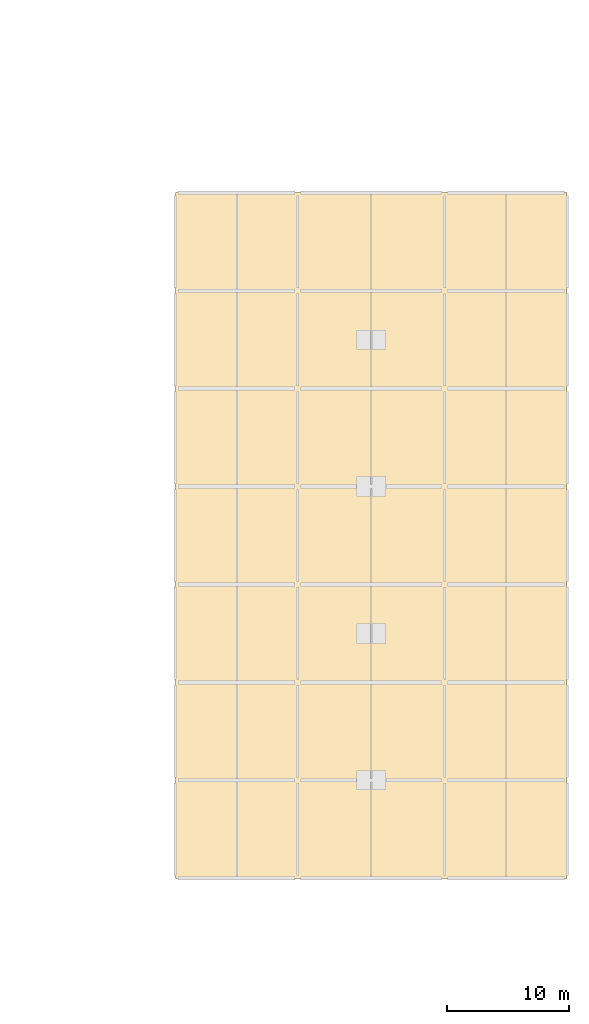
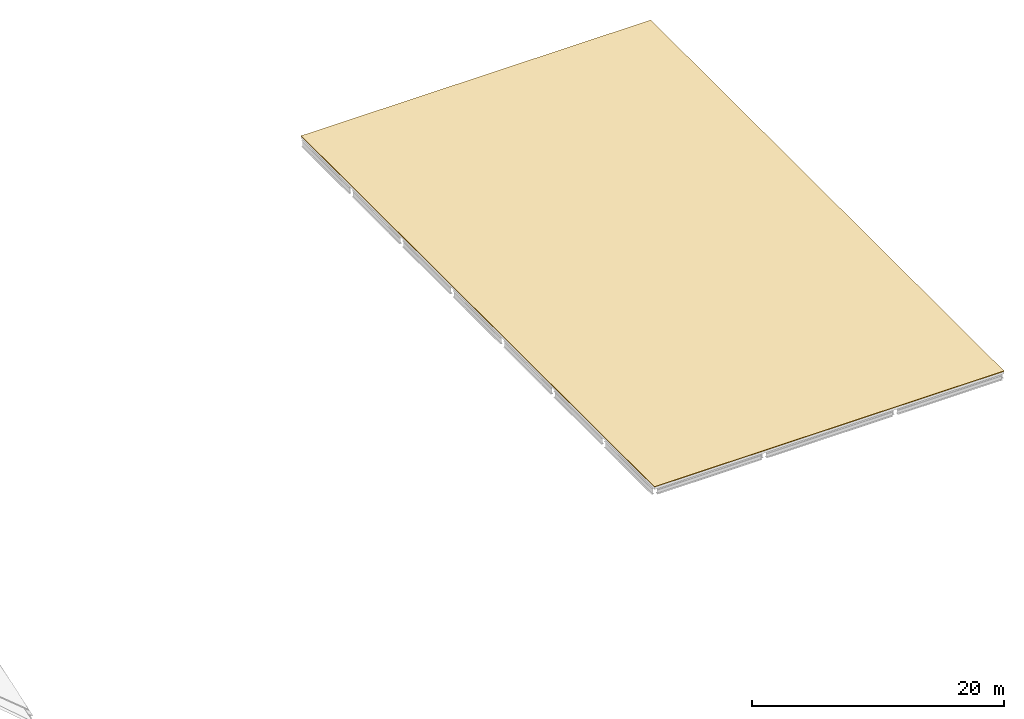
# One storey, part 11 of 11: 1 covering.
"""IFC4 building model written with IfcOpenShell, lengths in metres."""

import ifcopenshell
import ifcopenshell.guid

model = None  # the IFC model being written
_history = None  # IfcOwnerHistory: only IFC2X3 demands one
_inside = {}  # id of a spatial element -> (the spatial element, [elements in it])
_under = {}  # id of a project, library or spatial element -> (it, [spatial elements below it])
_declared = {}  # id of a project -> (the project, [libraries it declares])
_typed = {}  # id of a type object -> (the type object, [elements of that type])
_made_of = {}  # id of a material, layer set ... -> (it, [elements and type objects made of it])


def new_model(schema):
    """Start an empty IFC model of exactly this schema.

    Asked for "IFC4X3", IfcOpenShell would pick the latest addendum, in which some entities
    have other attributes; the version numbers below select the first issue.
    IFC2X3 requires an IfcOwnerHistory on every rooted entity: one is made here for all.
    """
    global model, _history
    if schema == "IFC4X3":
        model = ifcopenshell.file(schema_version=(4, 3, 0, 0))
    else:
        model = ifcopenshell.file(schema=schema)
    _inside.clear()
    _under.clear()
    _declared.clear()
    _typed.clear()
    _made_of.clear()
    _history = None
    if model.schema == "IFC2X3":
        org = make("IfcOrganization", Name="unknown")
        user = make(
            "IfcPersonAndOrganization",
            ThePerson=make("IfcPerson", FamilyName="unknown"),
            TheOrganization=org,
        )
        app = make(
            "IfcApplication",
            ApplicationDeveloper=org,
            Version="unknown",
            ApplicationFullName="unknown",
            ApplicationIdentifier="unknown",
        )
        _history = make(
            "IfcOwnerHistory",
            OwningUser=user,
            OwningApplication=app,
            ChangeAction="ADDED",
            CreationDate=0,
        )
    return model


def make(cls, **values):
    """One entity of the class cls with the attributes given. An attribute that is None is left unset."""
    return model.create_entity(
        cls, **{name: value for name, value in values.items() if value is not None}
    )


def rooted(cls, **values):
    """An entity with a GlobalId (a new one), such as an element, a storey or a relation."""
    return make(cls, GlobalId=ifcopenshell.guid.new(), OwnerHistory=_history, **values)


def si_unit(unit_type, name, prefix=None):
    """IfcSIUnit, for example si_unit("LENGTHUNIT", "METRE", prefix="MILLI")."""
    return make("IfcSIUnit", UnitType=unit_type, Prefix=prefix, Name=name)


def assignment(units):
    """IfcUnitAssignment: the units of a project."""
    return None if units is None else make("IfcUnitAssignment", Units=units)


def point(xyz):
    """IfcCartesianPoint."""
    return None if xyz is None else make("IfcCartesianPoint", Coordinates=xyz)


def direction(xyz):
    """IfcDirection."""
    return None if xyz is None else make("IfcDirection", DirectionRatios=xyz)


def frame(location, z_axis=None, x_axis=None):
    """IfcAxis2Placement3D, a coordinate frame: its origin and axes. An axis left out is left unset."""
    return make(
        "IfcAxis2Placement3D",
        Location=point(location),
        Axis=direction(z_axis),
        RefDirection=direction(x_axis),
    )


def origin():
    """The frame at (0, 0, 0) with its axes left unset."""
    return frame((0.0, 0.0, 0.0))


def place(relative_to, where):
    """IfcLocalPlacement: puts the frame where relative to a parent placement (None: the world)."""
    return make(
        "IfcLocalPlacement", PlacementRelTo=relative_to, RelativePlacement=where
    )


def context(
    kind, dimensions, precision=None, world=None, true_north=None, identifier=None
):
    """IfcGeometricRepresentationContext, for example the 3D "Model" context."""
    return make(
        "IfcGeometricRepresentationContext",
        ContextIdentifier=identifier,
        ContextType=kind,
        CoordinateSpaceDimension=dimensions,
        Precision=precision,
        WorldCoordinateSystem=world,
        TrueNorth=true_north,
    )


def subcontext(parent, identifier, kind, view, scale=None):
    """IfcGeometricRepresentationSubContext, for example "Body" below "Model"."""
    return make(
        "IfcGeometricRepresentationSubContext",
        ContextIdentifier=identifier,
        ContextType=kind,
        ParentContext=parent,
        TargetScale=scale,
        TargetView=view,
    )


def project(units=None, contexts=None):
    """IfcProject with its units and contexts."""
    return rooted(
        "IfcProject",
        Name="project",
        RepresentationContexts=contexts,
        UnitsInContext=assignment(units),
    )


def spatial(cls, under=None, at=None, **own):
    """A site, building, storey or space (cls), placed at a placement, below another one or the project."""
    s = rooted(cls, ObjectPlacement=at, **own)
    if under is not None:
        _under.setdefault(under.id(), (under, []))[1].append(s)
    return s


def polyline(points):
    """IfcPolyline through the points."""
    return make("IfcPolyline", Points=[point(p) for p in points])


def outline(outer, holes=None, kind="AREA"):
    """IfcArbitraryClosedProfileDef: a profile drawn as a closed curve; with holes, ...WithVoids."""
    if holes is None:
        return make("IfcArbitraryClosedProfileDef", ProfileType=kind, OuterCurve=outer)
    return make(
        "IfcArbitraryProfileDefWithVoids",
        ProfileType=kind,
        OuterCurve=outer,
        InnerCurves=holes,
    )


def extrude(swept, where, along, depth):
    """IfcExtrudedAreaSolid: the profile swept, set in the frame where, extruded along a direction by depth."""
    return make(
        "IfcExtrudedAreaSolid",
        SweptArea=swept,
        Position=where,
        ExtrudedDirection=direction(along),
        Depth=depth,
    )


def shape(context_of_items, identifier, shape_type, items):
    """IfcShapeRepresentation: the items that make up one representation, for example the "Body"."""
    return make(
        "IfcShapeRepresentation",
        ContextOfItems=context_of_items,
        RepresentationIdentifier=identifier,
        RepresentationType=shape_type,
        Items=items,
    )


def material(Name=None, Category=None):
    """IfcMaterial."""
    return make("IfcMaterial", Name=Name, Category=Category)


def layer(
    of_material, thickness, ventilated=None, Name=None, Category=None, Priority=None
):
    """IfcMaterialLayer: one layer of a wall or slab, of a material (None: an air gap)."""
    return make(
        "IfcMaterialLayer",
        Material=of_material,
        LayerThickness=thickness,
        IsVentilated=ventilated,
        Name=Name,
        Category=Category,
        Priority=Priority,
    )


def layer_set(layers, Name=None):
    """IfcMaterialLayerSet."""
    return make("IfcMaterialLayerSet", MaterialLayers=layers, LayerSetName=Name)


def made_of(thing, what):
    """Note that an element or type object is made of a material, layer set ...; save() writes the relation."""
    if what is not None:
        _made_of.setdefault(what.id(), (what, []))[1].append(thing)
    return thing


def type_object(cls, material=None, **own):
    """A type object (cls), such as IfcWallType, which elements share."""
    return made_of(rooted(cls, **own), material)


def element(
    cls,
    number,
    at=None,
    inside=None,
    cuts=None,
    type_object=None,
    material=None,
    context=None,
    identifier="Body",
    shape_type=None,
    held_by="IfcProductDefinitionShape",
    body=None,
    shapes=None,
    **own,
):
    """One element of the class cls, such as IfcWall. Its Tag is "e" and its number.

    at: its placement. inside: the storey or other place that contains it. cuts: it is an
    opening in that element (IfcRelVoidsElement). A single representation is given by context,
    identifier, shape_type and body (its items); several are given by shapes. held_by: the class
    of the entity that holds the representations. save() writes the other relations.
    """
    e = rooted(cls, Tag="e%d" % number, ObjectPlacement=at, **own)
    if body is not None:
        shapes = [shape(context, identifier, shape_type, body)]
    if shapes is not None:
        e.Representation = make(held_by, Representations=shapes)
    if inside is not None:
        _inside.setdefault(inside.id(), (inside, []))[1].append(e)
    if cuts is not None:
        rooted(
            "IfcRelVoidsElement", RelatingBuildingElement=cuts, RelatedOpeningElement=e
        )
    if type_object is not None:
        _typed.setdefault(type_object.id(), (type_object, []))[1].append(e)
    return made_of(e, material)


def aggregate(whole, parts):
    """IfcRelAggregates: a whole, such as a stair, and the parts it consists of."""
    return rooted("IfcRelAggregates", RelatingObject=whole, RelatedObjects=parts)


def save(model, path):
    """Write the relations noted so far, then the file.

    IfcRelAggregates (storeys below a building ...), IfcRelContainedInSpatialStructure (elements
    in a storey), IfcRelDefinesByType, IfcRelAssociatesMaterial and IfcRelDeclares: one each for
    every whole, place, type object, material and project.
    """
    for whole, parts in _under.values():
        aggregate(whole, parts)
    for where, things in _inside.values():
        rooted(
            "IfcRelContainedInSpatialStructure",
            RelatedElements=things,
            RelatingStructure=where,
        )
    for kind, things in _typed.values():
        rooted("IfcRelDefinesByType", RelatedObjects=things, RelatingType=kind)
    for what, things in _made_of.values():
        rooted("IfcRelAssociatesMaterial", RelatedObjects=things, RelatingMaterial=what)
    for by, libraries in _declared.values():
        rooted("IfcRelDeclares", RelatingContext=by, RelatedDefinitions=libraries)
    model.write(path)


model = new_model("IFC4")

# Units and contexts
model_context = context("Model", 3, precision=1e-05, world=origin(), true_north=direction((0.0, 1.0)))
body_context = subcontext(model_context, "Body", "Model", "MODEL_VIEW")
ifc_project = project(units=[si_unit("LENGTHUNIT", "METRE"), si_unit("AREAUNIT", "SQUARE_METRE"), si_unit("VOLUMEUNIT", "CUBIC_METRE"), si_unit("PLANEANGLEUNIT", "RADIAN"), si_unit("MASSUNIT", "GRAM", prefix="KILO")], contexts=[model_context])

# Site, building, storey
site_placement = place(None, origin())
site = spatial("IfcSite", under=ifc_project, at=site_placement, CompositionType="ELEMENT")
building_placement = place(site_placement, origin())
building = spatial("IfcBuilding", under=site, at=building_placement, Name="Drelvana Railside Aquatics Centre", CompositionType="ELEMENT")
storey_placement = place(building_placement, frame((0.0, 0.0, 22.800048828125)))
storey = spatial("IfcBuildingStorey", under=building, at=storey_placement, Name="Roof", CompositionType="ELEMENT", Elevation=22.800048828125)

# Covering
ifc_material = material(Name="Standing-seam bronze-zinc roofing membrane", Category="aluminium")
ifc_layer = layer(ifc_material, 0.06005859375, Name="Standing-seam bronze-zinc roofing membrane")
ifc_layer_set = layer_set([ifc_layer], Name="Standing-seam bronze-zinc roofing membrane")
covering_type = type_object("IfcCoveringType", Name="COV-ROOF-ZINC", PredefinedType="ROOFING", material=ifc_layer_set)
covering_placement = place(storey_placement, origin())
element("IfcCovering", 1, at=covering_placement, inside=storey, type_object=covering_type, Name="Federation Wing standing-seam roof covering", PredefinedType="ROOFING", context=body_context, shape_type="SweptSolid", body=[
    extrude(outline(polyline([(152.0, 24.0), (184.0, 24.0), (184.0, 80.0), (152.0, 80.0), (152.0, 24.0)])), origin(), (0.0, 0.0, 1.0), 0.06005859375),
])

save(model, "model.ifc")
